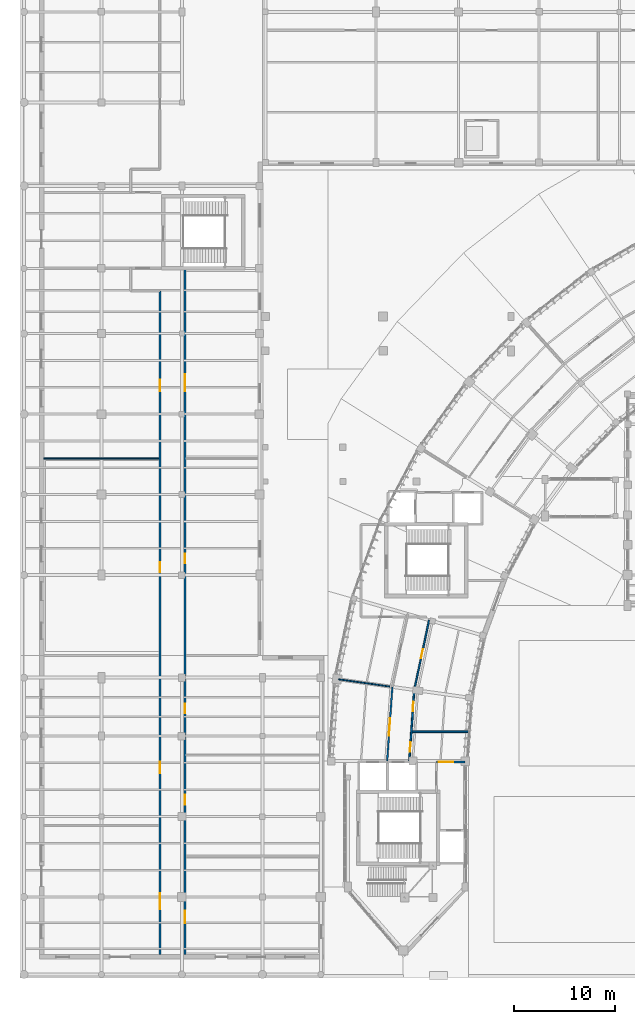
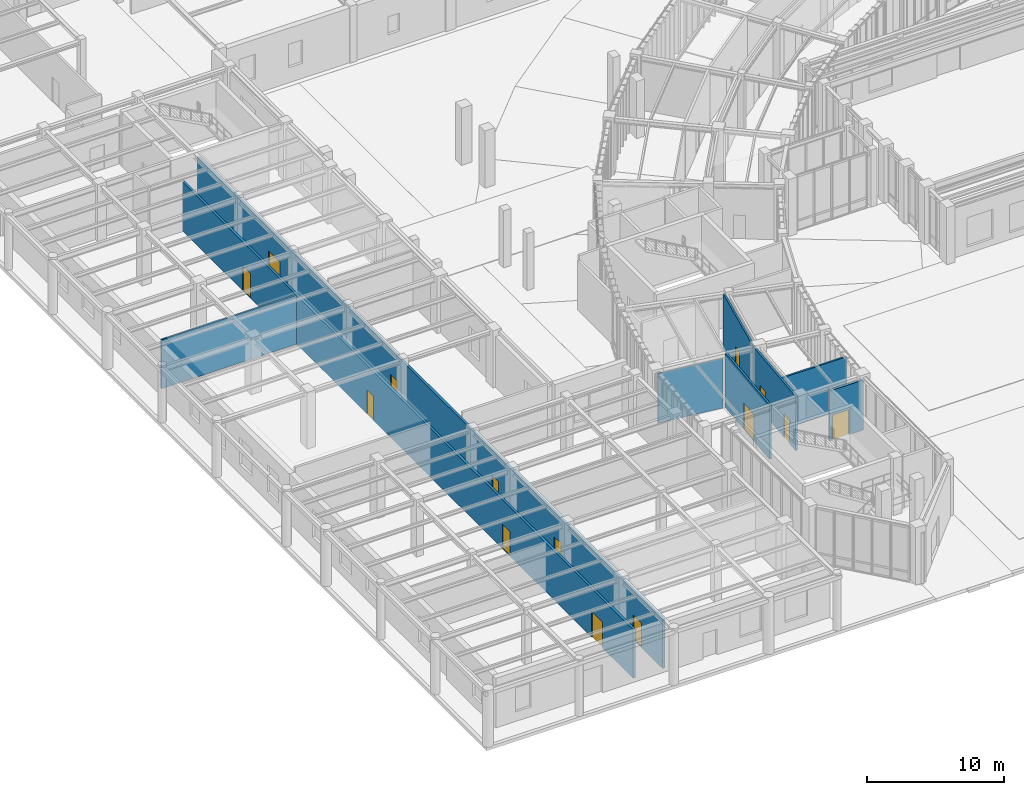
# One storey, part 37 of 68: 14 doors, 9 walls, 14 openings.
"""IFC4 building model written with IfcOpenShell, lengths in metres."""

from ifc_helpers import new_model, si_unit, direction, frame, frame_2d, origin, place, context, subcontext, project, spatial, rectangle, extrude, material, layer, layer_set, type_object, element, fill, save


model = new_model("IFC4")

# Units and contexts
model_context = context("Model", 3, precision=1e-05, world=origin(), true_north=direction((0.0, 1.0)))
body_context = subcontext(model_context, "Body", "Model", "MODEL_VIEW")
ifc_project = project(units=[si_unit("LENGTHUNIT", "METRE"), si_unit("AREAUNIT", "SQUARE_METRE"), si_unit("VOLUMEUNIT", "CUBIC_METRE"), si_unit("PLANEANGLEUNIT", "RADIAN"), si_unit("MASSUNIT", "GRAM", prefix="KILO"), si_unit("THERMODYNAMICTEMPERATUREUNIT", "KELVIN"), si_unit("POWERUNIT", "WATT")], contexts=[model_context])

# Site, building, storey
site_placement = place(None, origin())
site = spatial("IfcSite", under=ifc_project, at=site_placement, CompositionType="ELEMENT")
building_placement = place(site_placement, origin())
building = spatial("IfcBuilding", under=site, at=building_placement, Name="Solvatero Civic Police Headquarters", CompositionType="ELEMENT")
storey_placement = place(building_placement, origin())
storey = spatial("IfcBuildingStorey", under=building, at=storey_placement, Name="L00", CompositionType="ELEMENT", Elevation=0.0)

# Walls
ifc_material_1 = material(Name="Gypsum Acoustic Stud", Category="gypsum")
ifc_layer_1 = layer(ifc_material_1, 0.1201171875)
ifc_layer_set_1 = layer_set([ifc_layer_1], Name="Gypsum Acoustic Stud")
wall_type_1 = type_object("IfcWallType", Name="WL-PTN-120", PredefinedType="PARTITIONING", material=ifc_layer_set_1)
wall_1_placement = place(storey_placement, frame((41.169189453125, 33.4248046875, 0.0), z_axis=(0.0, 0.0, 1.0), x_axis=(-0.990266484291, 0.13918437445, 0.0)))
element("IfcWall", 1, at=wall_1_placement, inside=storey, type_object=wall_type_1, Name="Interior Partition WLP-L00-ARC-RAD-B11", PredefinedType="PARTITIONING", context=body_context, shape_type="SweptSolid", body=[
    extrude(rectangle(XDim=5.14990234375, YDim=0.1201171875, at=frame_2d((2.574951171875, 0.0))), origin(), (0.0, 0.0, 1.0), 4.429931640625),
])
ifc_material_2 = material(Name="Gypsum Double-Stud", Category="gypsum")
ifc_layer_2 = layer(ifc_material_2, 0.135009765625)
ifc_layer_set_2 = layer_set([ifc_layer_2], Name="Gypsum Double-Stud")
wall_type_2 = type_object("IfcWallType", Name="WL-PTN-135", PredefinedType="PARTITIONING", material=ifc_layer_set_2)
wall_2_placement = place(storey_placement, frame((6.780029296875, 56.10009765625, 0.0), z_axis=(0.0, 0.0, 1.0), x_axis=(1.0, 0.0, 0.0)))
element("IfcWall", 2, at=wall_2_placement, inside=storey, type_object=wall_type_2, Name="Interior Partition WLP-L00-V6-H1", PredefinedType="PARTITIONING", context=body_context, shape_type="SweptSolid", body=[
    extrude(rectangle(XDim=11.419921875, YDim=0.135009765625, at=frame_2d((5.7099609375, 0.0))), origin(), (0.0, 0.0, 1.0), 4.3779296875),
])

# Wall, opening, door
ifc_layer_3 = layer(ifc_material_1, 0.14990234375)
ifc_layer_set_3 = layer_set([ifc_layer_3], Name="Gypsum Acoustic Stud")
wall_type_3 = type_object("IfcWallType", Name="WL-PTN-150", PredefinedType="PARTITIONING", material=ifc_layer_set_3)
wall_3_placement = place(storey_placement, frame((45.07177734375, 40.02978515625, 0.0), z_axis=(0.0, 0.0, 1.0), x_axis=(-0.207903987445, -0.978149238104, 0.0)))
wall_3 = element("IfcWall", 3, at=wall_3_placement, inside=storey, type_object=wall_type_3, Name="Interior Partition WLP-L00-ARC-CIN-B11", PredefinedType="PARTITIONING", context=body_context, shape_type="SweptSolid", body=[
    extrude(rectangle(XDim=7.10107421875, YDim=0.14990234375, at=frame_2d((3.550537109375, 0.0))), origin(), (0.0, 0.0, 1.0), 4.860107421875),
])
opening_1_placement = place(wall_3_placement, frame((2.98193359375, 0.0, 0.0)))
opening_1 = element("IfcOpeningElement", 4, at=opening_1_placement, cuts=wall_3, Name="Opening ID-02", PredefinedType="OPENING", context=body_context, shape_type="SweptSolid", body=[
    extrude(rectangle(XDim=0.89990234375, YDim=2.10009765625, at=frame_2d((0.449951171875, 1.050048828125))), frame((0.0, 0.0849609375, 0.0), z_axis=(0.0, -1.0, 0.0), x_axis=(1.0, 0.0, 0.0)), (0.0, 0.0, 1.0), 0.169921875),
])
ifc_material_3 = material(Name="Acoustic Oak Timber Veneer", Category="wood")
door_type_1 = type_object("IfcDoorType", Name="DR-OFF-090x210", OperationType="NOTDEFINED", PredefinedType="DOOR", material=ifc_material_3)
door_1_placement = place(opening_1_placement, origin())
door_1 = element("IfcDoor", 5, at=door_1_placement, inside=storey, type_object=door_type_1, Name="Interior Door DR-L00-ARC-IN-B11", OperationType="SINGLE_SWING_LEFT", OverallHeight=2.10009765625, OverallWidth=0.89990234375, PredefinedType="DOOR", context=body_context, shape_type="SweptSolid", body=[
    extrude(rectangle(XDim=0.89990234375, YDim=2.10009765625, at=frame_2d((0.449951171875, 1.050048828125))), frame((0.0, 0.02490234375, 0.0), z_axis=(0.0, -1.0, 0.0), x_axis=(1.0, 0.0, 0.0)), (0.0, 0.0, 1.0), 0.050048828125),
])
fill(opening_1, door_1)

# Wall
wall_4_placement = place(storey_placement, frame((43.374755859375, 28.929931640625, 0.0), z_axis=(0.0, 0.0, 1.0), x_axis=(1.0, 0.0, 0.0)))
element("IfcWall", 6, at=wall_4_placement, inside=storey, type_object=wall_type_3, Name="Interior Partition WLP-L00-ARC-WCDIV-B12", PredefinedType="PARTITIONING", context=body_context, shape_type="SweptSolid", body=[
    extrude(rectangle(XDim=5.630126953125, YDim=0.14990234375, at=frame_2d((2.81494140625, 0.0))), origin(), (0.0, 0.0, 1.0), 4.577880859375),
])

# Wall, openings, doors
ifc_material_4 = material(Name="Concrete Blockwork", Category="masonry")
ifc_layer_4 = layer(ifc_material_4, 0.1650390625)
ifc_layer_set_4 = layer_set([ifc_layer_4], Name="Concrete Blockwork")
wall_type_4 = type_object("IfcWallType", Name="WL-PTN-165", PredefinedType="PARTITIONING", material=ifc_layer_set_4)
wall_5_placement = place(storey_placement, frame((43.595458984375, 33.083984375, 0.0), z_axis=(0.0, 0.0, 1.0), x_axis=(-0.069756597752, -0.997564041588, 0.0)))
wall_5 = element("IfcWall", 7, at=wall_5_placement, inside=storey, type_object=wall_type_4, Name="Interior Partition WLP-L00-ARC-CIN-B12", PredefinedType="PARTITIONING", context=body_context, shape_type="SweptSolid", body=[
    extrude(rectangle(XDim=7.101318359375, YDim=0.1650390625, at=frame_2d((3.55078125, 0.0))), origin(), (0.0, 0.0, 1.0), 4.860107421875),
])
opening_2_placement = place(wall_5_placement, frame((5.200927734375, 0.0, 0.0)))
opening_2 = element("IfcOpeningElement", 8, at=opening_2_placement, cuts=wall_5, Name="Opening ID-04", PredefinedType="OPENING", context=body_context, shape_type="SweptSolid", body=[
    extrude(rectangle(XDim=0.949951171875, YDim=2.14990234375, at=frame_2d((0.47509765625, 1.074951171875))), frame((0.0, 0.092529296875, 0.0), z_axis=(0.0, -1.0, 0.0), x_axis=(1.0, 0.0, 0.0)), (0.0, 0.0, 1.0), 0.18505859375),
])
opening_3_placement = place(wall_5_placement, frame((1.199951171875, 0.0, 0.0)))
opening_3 = element("IfcOpeningElement", 9, at=opening_3_placement, cuts=wall_5, Name="Opening ID-03", PredefinedType="OPENING", context=body_context, shape_type="SweptSolid", body=[
    extrude(rectangle(XDim=0.919921875, YDim=2.1201171875, at=frame_2d((0.4599609375, 1.06005859375))), frame((0.0, 0.092529296875, 0.0), z_axis=(0.0, -1.0, 0.0), x_axis=(1.0, 0.0, 0.0)), (0.0, 0.0, 1.0), 0.18505859375),
])
door_type_2 = type_object("IfcDoorType", Name="DR-ACC-095x215", OperationType="NOTDEFINED", PredefinedType="DOOR", material=ifc_material_3)
door_2_placement = place(opening_2_placement, origin())
door_2 = element("IfcDoor", 10, at=door_2_placement, inside=storey, type_object=door_type_2, Name="Interior Door DR-L00-ARC-WC-B12", OperationType="SINGLE_SWING_LEFT", OverallHeight=2.14990234375, OverallWidth=0.949951171875, PredefinedType="DOOR", context=body_context, shape_type="SweptSolid", body=[
    extrude(rectangle(XDim=0.949951171875, YDim=2.14990234375, at=frame_2d((0.47509765625, 1.074951171875))), frame((0.0, 0.02490234375, 0.0), z_axis=(0.0, -1.0, 0.0), x_axis=(1.0, 0.0, 0.0)), (0.0, 0.0, 1.0), 0.050048828125),
])
fill(opening_2, door_2)
door_type_3 = type_object("IfcDoorType", Name="DR-OFF-092x212", OperationType="NOTDEFINED", PredefinedType="DOOR", material=ifc_material_3)
door_3_placement = place(opening_3_placement, origin())
door_3 = element("IfcDoor", 11, at=door_3_placement, inside=storey, type_object=door_type_3, Name="Interior Door DR-L00-ARC-IN-B12", OperationType="SINGLE_SWING_RIGHT", OverallHeight=2.1201171875, OverallWidth=0.919921875, PredefinedType="DOOR", context=body_context, shape_type="SweptSolid", body=[
    extrude(rectangle(XDim=0.919921875, YDim=2.1201171875, at=frame_2d((0.4599609375, 1.06005859375))), frame((0.0, 0.02490234375, 0.0), z_axis=(0.0, -1.0, 0.0), x_axis=(1.0, 0.0, 0.0)), (0.0, 0.0, 1.0), 0.050048828125),
])
fill(opening_3, door_3)

# Wall, opening, door
wall_6_placement = place(storey_placement, frame((41.416748046875, 33.39013671875, 0.0), z_axis=(0.0, 0.0, 1.0), x_axis=(-0.069766817412, -0.997563326906, 0.0)))
wall_6 = element("IfcWall", 12, at=wall_6_placement, inside=storey, type_object=wall_type_4, Name="Interior Partition WLP-L00-ARC-COUT-B12", PredefinedType="PARTITIONING", context=body_context, shape_type="SweptSolid", body=[
    extrude(rectangle(XDim=7.408203125, YDim=0.1650390625, at=frame_2d((3.7041015625, 0.0))), origin(), (0.0, 0.0, 1.0), 4.860107421875),
])
opening_4_placement = place(wall_6_placement, frame((3.111083984375, 0.0, 0.0)))
opening_4 = element("IfcOpeningElement", 13, at=opening_4_placement, cuts=wall_6, Name="Opening ID-17", PredefinedType="OPENING", context=body_context, shape_type="SweptSolid", body=[
    extrude(rectangle(XDim=1.760009765625, YDim=2.360107421875, at=frame_2d((0.8798828125, 1.18017578125))), frame((0.0, 0.092529296875, 0.0), z_axis=(0.0, -1.0, 0.0), x_axis=(1.0, 0.0, 0.0)), (0.0, 0.0, 1.0), 0.18505859375),
])
ifc_material_5 = material(Name="Powder-Coated Steel", Category="steel")
door_type_4 = type_object("IfcDoorType", Name="DR-DBL-176x236", OperationType="NOTDEFINED", PredefinedType="DOOR", material=ifc_material_5)
door_4_placement = place(opening_4_placement, origin())
door_4 = element("IfcDoor", 14, at=door_4_placement, inside=storey, type_object=door_type_4, Name="Interior Door DR-L00-ARC-OUT-B12", OperationType="DOUBLE_DOOR_SINGLE_SWING", OverallHeight=2.360107421875, OverallWidth=1.760009765625, PredefinedType="DOOR", context=body_context, shape_type="SweptSolid", body=[
    extrude(rectangle(XDim=1.760009765625, YDim=2.360107421875, at=frame_2d((0.8798828125, 1.18017578125))), frame((0.0, 0.02490234375, 0.0), z_axis=(0.0, -1.0, 0.0), x_axis=(1.0, 0.0, 0.0)), (0.0, 0.0, 1.0), 0.050048828125),
])
fill(opening_4, door_4)

ifc_layer_5 = layer(ifc_material_4, 0.199951171875)
ifc_layer_set_5 = layer_set([ifc_layer_5], Name="Concrete Blockwork")
wall_type_5 = type_object("IfcWallType", Name="WL-PTN-200", PredefinedType="PARTITIONING", material=ifc_layer_set_5)
wall_7_placement = place(storey_placement, frame((45.800048828125, 25.89990234375, 0.0), z_axis=(0.0, 0.0, 1.0), x_axis=(1.0, 0.0, 0.0)))
wall_7 = element("IfcWall", 15, at=wall_7_placement, inside=storey, type_object=wall_type_5, Name="Interior Partition WLP-FFL-C1-L00-N", PredefinedType="PARTITIONING", context=body_context, shape_type="SweptSolid", body=[
    extrude(rectangle(XDim=2.849853515625, YDim=0.199951171875, at=frame_2d((1.4248046875, 0.0))), origin(), (0.0, 0.0, 1.0), 4.47998046875),
])
opening_5_placement = place(wall_7_placement, frame((0.25, 0.0, 0.0)))
opening_5 = element("IfcOpeningElement", 16, at=opening_5_placement, cuts=wall_7, Name="Opening FD-02", PredefinedType="OPENING", context=body_context, shape_type="SweptSolid", body=[
    extrude(rectangle(XDim=1.39990234375, YDim=2.25, at=frame_2d((0.699951171875, 1.125))), frame((0.0, 0.10986328125, 0.0), z_axis=(0.0, -1.0, 0.0), x_axis=(1.0, 0.0, 0.0)), (0.0, 0.0, 1.0), 0.219970703125),
])
door_type_5 = type_object("IfcDoorType", Name="DR-LOB-140x225", OperationType="NOTDEFINED", PredefinedType="DOOR", material=ifc_material_5)
door_5_placement = place(opening_5_placement, origin())
door_5 = element("IfcDoor", 17, at=door_5_placement, inside=storey, type_object=door_type_5, Name="Interior Door DR-FFL-C1-L00-ACC", OperationType="DOUBLE_DOOR_SINGLE_SWING", OverallHeight=2.25, OverallWidth=1.39990234375, PredefinedType="DOOR", context=body_context, shape_type="SweptSolid", body=[
    extrude(rectangle(XDim=1.39990234375, YDim=2.25, at=frame_2d((0.699951171875, 1.125))), frame((0.0, 0.02490234375, 0.0), z_axis=(0.0, -1.0, 0.0), x_axis=(1.0, 0.0, 0.0)), (0.0, 0.0, 1.0), 0.050048828125),
])
fill(opening_5, door_5)

# Wall, openings, doors
wall_8_placement = place(storey_placement, frame((18.300048828125, 6.780029296875, 0.0), z_axis=(0.0, 0.0, 1.0), x_axis=(0.0, 1.0, 0.0)))
wall_8 = element("IfcWall", 18, at=wall_8_placement, inside=storey, type_object=wall_type_5, Name="Interior Partition WLP-L00-V4-CW", PredefinedType="PARTITIONING", context=body_context, shape_type="SweptSolid", body=[
    extrude(rectangle(XDim=65.969970703125, YDim=0.199951171875, at=frame_2d((32.98486328125, 0.0))), origin(), (0.0, 0.0, 1.0), 4.367919921875),
])
opening_6_placement = place(wall_8_placement, frame((4.5, 0.0, 0.0)))
opening_6 = element("IfcOpeningElement", 19, at=opening_6_placement, cuts=wall_8, Name="Opening ID-15", PredefinedType="OPENING", context=body_context, shape_type="SweptSolid", body=[
    extrude(rectangle(XDim=1.60009765625, YDim=2.300048828125, at=frame_2d((0.800048828125, 1.14990234375))), frame((0.0, 0.10986328125, 0.0), z_axis=(0.0, -1.0, 0.0), x_axis=(1.0, 0.0, 0.0)), (0.0, 0.0, 1.0), 0.219970703125),
])
opening_7_placement = place(wall_8_placement, frame((18.0, 0.0, 0.0)))
opening_7 = element("IfcOpeningElement", 20, at=opening_7_placement, cuts=wall_8, Name="Opening ID-10", PredefinedType="OPENING", context=body_context, shape_type="SweptSolid", body=[
    extrude(rectangle(XDim=1.14990234375, YDim=2.199951171875, at=frame_2d((0.574951171875, 1.10009765625))), frame((0.0, 0.10986328125, 0.0), z_axis=(0.0, -1.0, 0.0), x_axis=(1.0, 0.0, 0.0)), (0.0, 0.0, 1.0), 0.219970703125),
])
opening_8_placement = place(wall_8_placement, frame((38.0, 0.0, 0.0)))
opening_8 = element("IfcOpeningElement", 21, at=opening_8_placement, cuts=wall_8, Name="Opening ID-05", PredefinedType="OPENING", context=body_context, shape_type="SweptSolid", body=[
    extrude(rectangle(XDim=0.97998046875, YDim=2.159912109375, at=frame_2d((0.489990234375, 1.080078125))), frame((0.0, 0.10986328125, 0.0), z_axis=(0.0, -1.0, 0.0), x_axis=(1.0, 0.0, 0.0)), (0.0, 0.0, 1.0), 0.219970703125),
])
opening_9_placement = place(wall_8_placement, frame((56.0, 0.0, 0.0)))
opening_9 = element("IfcOpeningElement", 22, at=opening_9_placement, cuts=wall_8, Name="Opening ID-10", PredefinedType="OPENING", context=body_context, shape_type="SweptSolid", body=[
    extrude(rectangle(XDim=1.14990234375, YDim=2.199951171875, at=frame_2d((0.574951171875, 1.10009765625))), frame((0.0, 0.10986328125, 0.0), z_axis=(0.0, -1.0, 0.0), x_axis=(1.0, 0.0, 0.0)), (0.0, 0.0, 1.0), 0.219970703125),
])
door_type_6 = type_object("IfcDoorType", Name="DR-COR-115x220", OperationType="NOTDEFINED", PredefinedType="DOOR", material=ifc_material_5)
door_6_placement = place(opening_7_placement, origin())
door_6 = element("IfcDoor", 23, at=door_6_placement, inside=storey, type_object=door_type_6, Name="Interior Door DR-L00-FLIC", OperationType="SINGLE_SWING_RIGHT", OverallHeight=2.199951171875, OverallWidth=1.14990234375, PredefinedType="DOOR", context=body_context, shape_type="SweptSolid", body=[
    extrude(rectangle(XDim=1.14990234375, YDim=2.199951171875, at=frame_2d((0.574951171875, 1.10009765625))), frame((0.0, 0.02490234375, 0.0), z_axis=(0.0, -1.0, 0.0), x_axis=(1.0, 0.0, 0.0)), (0.0, 0.0, 1.0), 0.050048828125),
])
fill(opening_7, door_6)
door_7_placement = place(opening_9_placement, origin())
door_7 = element("IfcDoor", 24, at=door_7_placement, inside=storey, type_object=door_type_6, Name="Interior Door DR-L00-GRD", OperationType="SINGLE_SWING_RIGHT", OverallHeight=2.199951171875, OverallWidth=1.14990234375, PredefinedType="DOOR", context=body_context, shape_type="SweptSolid", body=[
    extrude(rectangle(XDim=1.14990234375, YDim=2.199951171875, at=frame_2d((0.574951171875, 1.10009765625))), frame((0.0, 0.02490234375, 0.0), z_axis=(0.0, -1.0, 0.0), x_axis=(1.0, 0.0, 0.0)), (0.0, 0.0, 1.0), 0.050048828125),
])
fill(opening_9, door_7)
door_type_7 = type_object("IfcDoorType", Name="DR-DBL-160x230", OperationType="NOTDEFINED", PredefinedType="DOOR", material=ifc_material_5)
door_8_placement = place(opening_6_placement, origin())
door_8 = element("IfcDoor", 25, at=door_8_placement, inside=storey, type_object=door_type_7, Name="Interior Door DR-L00-PASS", OperationType="DOUBLE_DOOR_SINGLE_SWING", OverallHeight=2.300048828125, OverallWidth=1.60009765625, PredefinedType="DOOR", context=body_context, shape_type="SweptSolid", body=[
    extrude(rectangle(XDim=1.60009765625, YDim=2.300048828125, at=frame_2d((0.800048828125, 1.14990234375))), frame((0.0, 0.02490234375, 0.0), z_axis=(0.0, -1.0, 0.0), x_axis=(1.0, 0.0, 0.0)), (0.0, 0.0, 1.0), 0.050048828125),
])
fill(opening_6, door_8)
door_type_8 = type_object("IfcDoorType", Name="DR-OFF-098x216", OperationType="NOTDEFINED", PredefinedType="DOOR", material=ifc_material_5)
door_9_placement = place(opening_8_placement, origin())
door_9 = element("IfcDoor", 26, at=door_9_placement, inside=storey, type_object=door_type_8, Name="Interior Door DR-L00-VIC", OperationType="SINGLE_SWING_LEFT", OverallHeight=2.159912109375, OverallWidth=0.97998046875, PredefinedType="DOOR", context=body_context, shape_type="SweptSolid", body=[
    extrude(rectangle(XDim=0.97998046875, YDim=2.159912109375, at=frame_2d((0.489990234375, 1.080078125))), frame((0.0, 0.02490234375, 0.0), z_axis=(0.0, -1.0, 0.0), x_axis=(1.0, 0.0, 0.0)), (0.0, 0.0, 1.0), 0.050048828125),
])
fill(opening_8, door_9)

wall_9_placement = place(storey_placement, frame((20.800048828125, 6.780029296875, 0.0), z_axis=(0.0, 0.0, 1.0), x_axis=(0.0, 1.0, 0.0)))
wall_9 = element("IfcWall", 27, at=wall_9_placement, inside=storey, type_object=wall_type_5, Name="Interior Partition WLP-L00-V4-CE", PredefinedType="PARTITIONING", context=body_context, shape_type="SweptSolid", body=[
    extrude(rectangle(XDim=68.169921875, YDim=0.199951171875, at=frame_2d((34.0849609375, 0.0))), origin(), (0.0, 0.0, 1.0), 4.367919921875),
])
opening_10_placement = place(wall_9_placement, frame((3.10009765625, 0.0, 0.0)))
opening_10 = element("IfcOpeningElement", 28, at=opening_10_placement, cuts=wall_9, Name="Opening FD-01", PredefinedType="OPENING", context=body_context, shape_type="SweptSolid", body=[
    extrude(rectangle(XDim=1.25, YDim=2.199951171875, at=frame_2d((0.625, 1.10009765625))), frame((0.0, 0.10986328125, 0.0), z_axis=(0.0, -1.0, 0.0), x_axis=(1.0, 0.0, 0.0)), (0.0, 0.0, 1.0), 0.219970703125),
])
opening_11_placement = place(wall_9_placement, frame((14.89990234375, 0.0, 0.0)))
opening_11 = element("IfcOpeningElement", 29, at=opening_11_placement, cuts=wall_9, Name="Opening ID-05", PredefinedType="OPENING", context=body_context, shape_type="SweptSolid", body=[
    extrude(rectangle(XDim=0.97998046875, YDim=2.159912109375, at=frame_2d((0.489990234375, 1.080078125))), frame((0.0, 0.10986328125, 0.0), z_axis=(0.0, -1.0, 0.0), x_axis=(1.0, 0.0, 0.0)), (0.0, 0.0, 1.0), 0.219970703125),
])
opening_12_placement = place(wall_9_placement, frame((24.0, 0.0, 0.0)))
opening_12 = element("IfcOpeningElement", 30, at=opening_12_placement, cuts=wall_9, Name="Opening ID-04", PredefinedType="OPENING", context=body_context, shape_type="SweptSolid", body=[
    extrude(rectangle(XDim=0.949951171875, YDim=2.14990234375, at=frame_2d((0.47509765625, 1.074951171875))), frame((0.0, 0.10986328125, 0.0), z_axis=(0.0, -1.0, 0.0), x_axis=(1.0, 0.0, 0.0)), (0.0, 0.0, 1.0), 0.219970703125),
])
opening_13_placement = place(wall_9_placement, frame((38.89990234375, 0.0, 0.0)))
opening_13 = element("IfcOpeningElement", 31, at=opening_13_placement, cuts=wall_9, Name="Opening ID-04", PredefinedType="OPENING", context=body_context, shape_type="SweptSolid", body=[
    extrude(rectangle(XDim=0.949951171875, YDim=2.14990234375, at=frame_2d((0.47509765625, 1.074951171875))), frame((0.0, 0.10986328125, 0.0), z_axis=(0.0, -1.0, 0.0), x_axis=(1.0, 0.0, 0.0)), (0.0, 0.0, 1.0), 0.219970703125),
])
opening_14_placement = place(wall_9_placement, frame((56.0, 0.0, 0.0)))
opening_14 = element("IfcOpeningElement", 32, at=opening_14_placement, cuts=wall_9, Name="Opening ID-16", PredefinedType="OPENING", context=body_context, shape_type="SweptSolid", body=[
    extrude(rectangle(XDim=1.679931640625, YDim=2.340087890625, at=frame_2d((0.83984375, 1.169921875))), frame((0.0, 0.10986328125, 0.0), z_axis=(0.0, -1.0, 0.0), x_axis=(1.0, 0.0, 0.0)), (0.0, 0.0, 1.0), 0.219970703125),
])
door_10_placement = place(opening_12_placement, origin())
door_10 = element("IfcDoor", 33, at=door_10_placement, inside=storey, type_object=door_type_2, Name="Interior Door DR-L00-REP1", OperationType="SINGLE_SWING_LEFT", OverallHeight=2.14990234375, OverallWidth=0.949951171875, PredefinedType="DOOR", context=body_context, shape_type="SweptSolid", body=[
    extrude(rectangle(XDim=0.949951171875, YDim=2.14990234375, at=frame_2d((0.47509765625, 1.074951171875))), frame((0.0, 0.02490234375, 0.0), z_axis=(0.0, -1.0, 0.0), x_axis=(1.0, 0.0, 0.0)), (0.0, 0.0, 1.0), 0.050048828125),
])
fill(opening_12, door_10)
door_11_placement = place(opening_13_placement, origin())
door_11 = element("IfcDoor", 34, at=door_11_placement, inside=storey, type_object=door_type_2, Name="Interior Door DR-L00-TRF", OperationType="SINGLE_SWING_RIGHT", OverallHeight=2.14990234375, OverallWidth=0.949951171875, PredefinedType="DOOR", context=body_context, shape_type="SweptSolid", body=[
    extrude(rectangle(XDim=0.949951171875, YDim=2.14990234375, at=frame_2d((0.47509765625, 1.074951171875))), frame((0.0, 0.02490234375, 0.0), z_axis=(0.0, -1.0, 0.0), x_axis=(1.0, 0.0, 0.0)), (0.0, 0.0, 1.0), 0.050048828125),
])
fill(opening_13, door_11)
door_type_9 = type_object("IfcDoorType", Name="DR-DBL-168x234", OperationType="NOTDEFINED", PredefinedType="DOOR", material=ifc_material_5)
door_12_placement = place(opening_14_placement, origin())
door_12 = element("IfcDoor", 35, at=door_12_placement, inside=storey, type_object=door_type_9, Name="Interior Door DR-L00-CNT", OperationType="DOUBLE_DOOR_SINGLE_SWING", OverallHeight=2.340087890625, OverallWidth=1.679931640625, PredefinedType="DOOR", context=body_context, shape_type="SweptSolid", body=[
    extrude(rectangle(XDim=1.679931640625, YDim=2.340087890625, at=frame_2d((0.83984375, 1.169921875))), frame((0.0, 0.02490234375, 0.0), z_axis=(0.0, -1.0, 0.0), x_axis=(1.0, 0.0, 0.0)), (0.0, 0.0, 1.0), 0.050048828125),
])
fill(opening_14, door_12)
door_13_placement = place(opening_11_placement, origin())
door_13 = element("IfcDoor", 36, at=door_13_placement, inside=storey, type_object=door_type_8, Name="Interior Door DR-L00-LOST", OperationType="SINGLE_SWING_RIGHT", OverallHeight=2.159912109375, OverallWidth=0.97998046875, PredefinedType="DOOR", context=body_context, shape_type="SweptSolid", body=[
    extrude(rectangle(XDim=0.97998046875, YDim=2.159912109375, at=frame_2d((0.489990234375, 1.080078125))), frame((0.0, 0.02490234375, 0.0), z_axis=(0.0, -1.0, 0.0), x_axis=(1.0, 0.0, 0.0)), (0.0, 0.0, 1.0), 0.050048828125),
])
fill(opening_11, door_13)
door_type_10 = type_object("IfcDoorType", Name="DR-STR-125x220", OperationType="NOTDEFINED", PredefinedType="DOOR", material=ifc_material_5)
door_14_placement = place(opening_10_placement, origin())
door_14 = element("IfcDoor", 37, at=door_14_placement, inside=storey, type_object=door_type_10, Name="Interior Door DR-L00-FCMD-IN", OperationType="SINGLE_SWING_LEFT", OverallHeight=2.199951171875, OverallWidth=1.25, PredefinedType="DOOR", context=body_context, shape_type="SweptSolid", body=[
    extrude(rectangle(XDim=1.25, YDim=2.199951171875, at=frame_2d((0.625, 1.10009765625))), frame((0.0, 0.02490234375, 0.0), z_axis=(0.0, -1.0, 0.0), x_axis=(1.0, 0.0, 0.0)), (0.0, 0.0, 1.0), 0.050048828125),
])
fill(opening_10, door_14)

save(model, "model.ifc")
